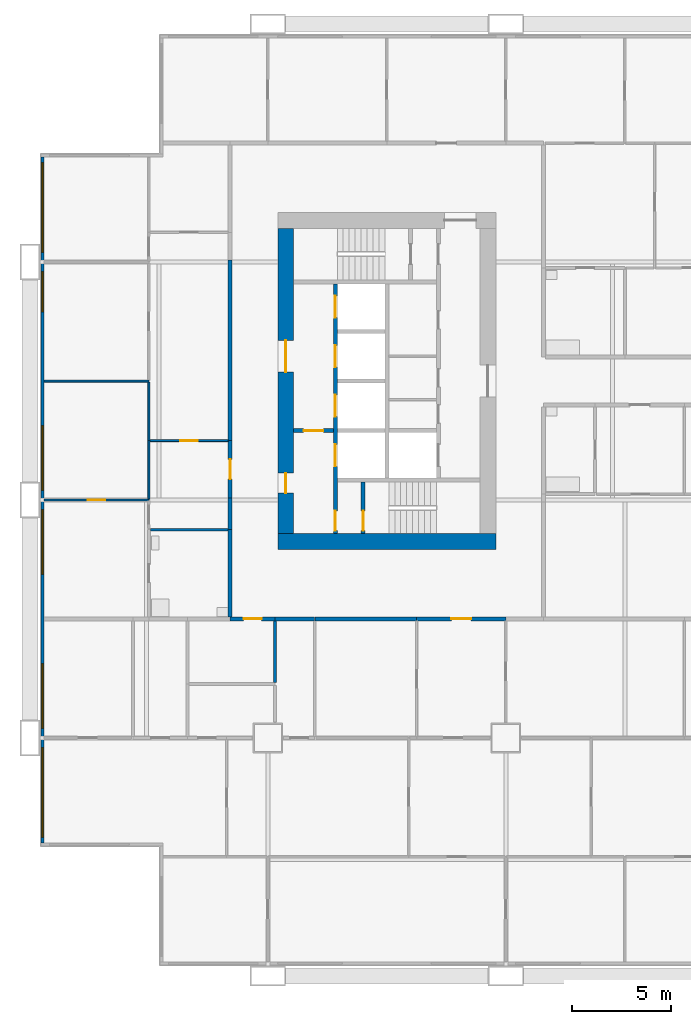
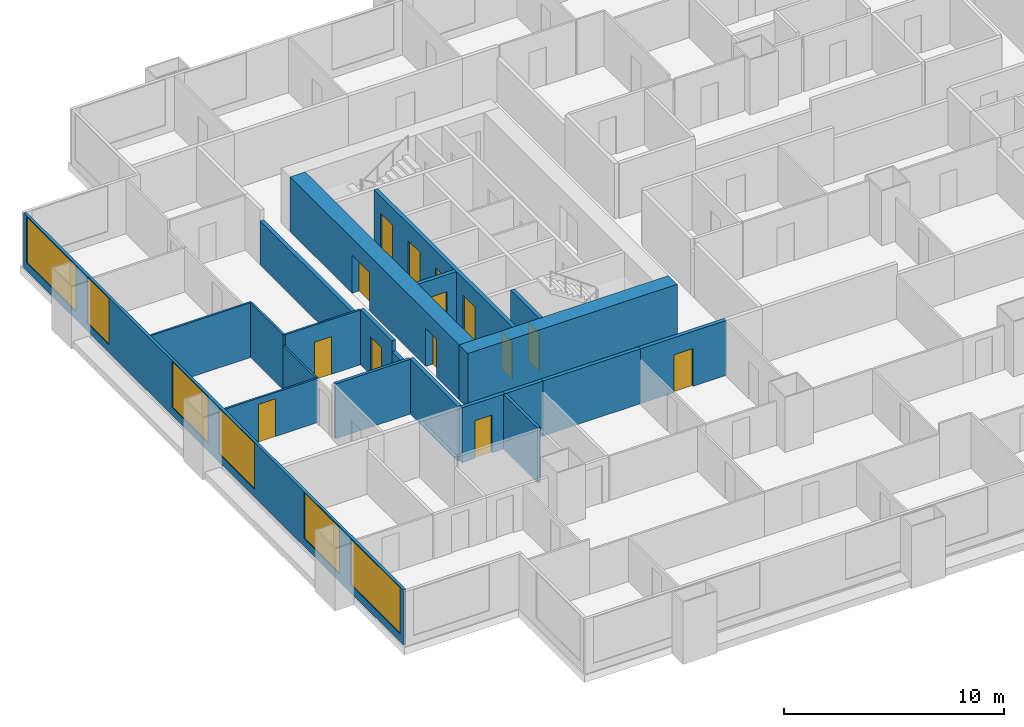
# One storey, part 3 of 13: 21 walls, 14 doors, 6 windows, 20 openings.
"""IFC4 building model written with IfcOpenShell, lengths in metres."""

import ifcopenshell
import ifcopenshell.guid

model = None  # the IFC model being written
_history = None  # IfcOwnerHistory: only IFC2X3 demands one
_inside = {}  # id of a spatial element -> (the spatial element, [elements in it])
_under = {}  # id of a project, library or spatial element -> (it, [spatial elements below it])
_declared = {}  # id of a project -> (the project, [libraries it declares])
_typed = {}  # id of a type object -> (the type object, [elements of that type])
_made_of = {}  # id of a material, layer set ... -> (it, [elements and type objects made of it])


def new_model(schema):
    """Start an empty IFC model of exactly this schema.

    Asked for "IFC4X3", IfcOpenShell would pick the latest addendum, in which some entities
    have other attributes; the version numbers below select the first issue.
    IFC2X3 requires an IfcOwnerHistory on every rooted entity: one is made here for all.
    """
    global model, _history
    if schema == "IFC4X3":
        model = ifcopenshell.file(schema_version=(4, 3, 0, 0))
    else:
        model = ifcopenshell.file(schema=schema)
    _inside.clear()
    _under.clear()
    _declared.clear()
    _typed.clear()
    _made_of.clear()
    _history = None
    if model.schema == "IFC2X3":
        org = make("IfcOrganization", Name="unknown")
        user = make(
            "IfcPersonAndOrganization",
            ThePerson=make("IfcPerson", FamilyName="unknown"),
            TheOrganization=org,
        )
        app = make(
            "IfcApplication",
            ApplicationDeveloper=org,
            Version="unknown",
            ApplicationFullName="unknown",
            ApplicationIdentifier="unknown",
        )
        _history = make(
            "IfcOwnerHistory",
            OwningUser=user,
            OwningApplication=app,
            ChangeAction="ADDED",
            CreationDate=0,
        )
    return model


def make(cls, **values):
    """One entity of the class cls with the attributes given. An attribute that is None is left unset."""
    return model.create_entity(
        cls, **{name: value for name, value in values.items() if value is not None}
    )


def rooted(cls, **values):
    """An entity with a GlobalId (a new one), such as an element, a storey or a relation."""
    return make(cls, GlobalId=ifcopenshell.guid.new(), OwnerHistory=_history, **values)


def si_unit(unit_type, name, prefix=None):
    """IfcSIUnit, for example si_unit("LENGTHUNIT", "METRE", prefix="MILLI")."""
    return make("IfcSIUnit", UnitType=unit_type, Prefix=prefix, Name=name)


def assignment(units):
    """IfcUnitAssignment: the units of a project."""
    return None if units is None else make("IfcUnitAssignment", Units=units)


def point(xyz):
    """IfcCartesianPoint."""
    return None if xyz is None else make("IfcCartesianPoint", Coordinates=xyz)


def direction(xyz):
    """IfcDirection."""
    return None if xyz is None else make("IfcDirection", DirectionRatios=xyz)


def frame(location, z_axis=None, x_axis=None):
    """IfcAxis2Placement3D, a coordinate frame: its origin and axes. An axis left out is left unset."""
    return make(
        "IfcAxis2Placement3D",
        Location=point(location),
        Axis=direction(z_axis),
        RefDirection=direction(x_axis),
    )


def frame_2d(location, x_axis=None):
    """IfcAxis2Placement2D, a coordinate frame in the plane: its origin and x axis."""
    return make(
        "IfcAxis2Placement2D", Location=point(location), RefDirection=direction(x_axis)
    )


def origin():
    """The frame at (0, 0, 0) with its axes left unset."""
    return frame((0.0, 0.0, 0.0))


def place(relative_to, where):
    """IfcLocalPlacement: puts the frame where relative to a parent placement (None: the world)."""
    return make(
        "IfcLocalPlacement", PlacementRelTo=relative_to, RelativePlacement=where
    )


def context(
    kind, dimensions, precision=None, world=None, true_north=None, identifier=None
):
    """IfcGeometricRepresentationContext, for example the 3D "Model" context."""
    return make(
        "IfcGeometricRepresentationContext",
        ContextIdentifier=identifier,
        ContextType=kind,
        CoordinateSpaceDimension=dimensions,
        Precision=precision,
        WorldCoordinateSystem=world,
        TrueNorth=true_north,
    )


def subcontext(parent, identifier, kind, view, scale=None):
    """IfcGeometricRepresentationSubContext, for example "Body" below "Model"."""
    return make(
        "IfcGeometricRepresentationSubContext",
        ContextIdentifier=identifier,
        ContextType=kind,
        ParentContext=parent,
        TargetScale=scale,
        TargetView=view,
    )


def project(units=None, contexts=None):
    """IfcProject with its units and contexts."""
    return rooted(
        "IfcProject",
        Name="project",
        RepresentationContexts=contexts,
        UnitsInContext=assignment(units),
    )


def spatial(cls, under=None, at=None, **own):
    """A site, building, storey or space (cls), placed at a placement, below another one or the project."""
    s = rooted(cls, ObjectPlacement=at, **own)
    if under is not None:
        _under.setdefault(under.id(), (under, []))[1].append(s)
    return s


def profile(cls, at=None, kind="AREA", **sizes):
    """A parametric profile (cls). Its sizes go by their IFC names, for example OverallWidth=200.0."""
    return make(cls, ProfileType=kind, Position=at, **sizes)


def rectangle(**sizes):
    """IfcRectangleProfileDef."""
    return profile("IfcRectangleProfileDef", **sizes)


def extrude(swept, where, along, depth):
    """IfcExtrudedAreaSolid: the profile swept, set in the frame where, extruded along a direction by depth."""
    return make(
        "IfcExtrudedAreaSolid",
        SweptArea=swept,
        Position=where,
        ExtrudedDirection=direction(along),
        Depth=depth,
    )


def shape(context_of_items, identifier, shape_type, items):
    """IfcShapeRepresentation: the items that make up one representation, for example the "Body"."""
    return make(
        "IfcShapeRepresentation",
        ContextOfItems=context_of_items,
        RepresentationIdentifier=identifier,
        RepresentationType=shape_type,
        Items=items,
    )


def material(Name=None, Category=None):
    """IfcMaterial."""
    return make("IfcMaterial", Name=Name, Category=Category)


def layer(
    of_material, thickness, ventilated=None, Name=None, Category=None, Priority=None
):
    """IfcMaterialLayer: one layer of a wall or slab, of a material (None: an air gap)."""
    return make(
        "IfcMaterialLayer",
        Material=of_material,
        LayerThickness=thickness,
        IsVentilated=ventilated,
        Name=Name,
        Category=Category,
        Priority=Priority,
    )


def layer_set(layers, Name=None):
    """IfcMaterialLayerSet."""
    return make("IfcMaterialLayerSet", MaterialLayers=layers, LayerSetName=Name)


def made_of(thing, what):
    """Note that an element or type object is made of a material, layer set ...; save() writes the relation."""
    if what is not None:
        _made_of.setdefault(what.id(), (what, []))[1].append(thing)
    return thing


def type_object(cls, material=None, **own):
    """A type object (cls), such as IfcWallType, which elements share."""
    return made_of(rooted(cls, **own), material)


def element(
    cls,
    number,
    at=None,
    inside=None,
    cuts=None,
    type_object=None,
    material=None,
    context=None,
    identifier="Body",
    shape_type=None,
    held_by="IfcProductDefinitionShape",
    body=None,
    shapes=None,
    **own,
):
    """One element of the class cls, such as IfcWall. Its Tag is "e" and its number.

    at: its placement. inside: the storey or other place that contains it. cuts: it is an
    opening in that element (IfcRelVoidsElement). A single representation is given by context,
    identifier, shape_type and body (its items); several are given by shapes. held_by: the class
    of the entity that holds the representations. save() writes the other relations.
    """
    e = rooted(cls, Tag="e%d" % number, ObjectPlacement=at, **own)
    if body is not None:
        shapes = [shape(context, identifier, shape_type, body)]
    if shapes is not None:
        e.Representation = make(held_by, Representations=shapes)
    if inside is not None:
        _inside.setdefault(inside.id(), (inside, []))[1].append(e)
    if cuts is not None:
        rooted(
            "IfcRelVoidsElement", RelatingBuildingElement=cuts, RelatedOpeningElement=e
        )
    if type_object is not None:
        _typed.setdefault(type_object.id(), (type_object, []))[1].append(e)
    return made_of(e, material)


def fill(opening, filler):
    """IfcRelFillsElement: the door or window that sits in an opening."""
    return rooted(
        "IfcRelFillsElement",
        RelatingOpeningElement=opening,
        RelatedBuildingElement=filler,
    )


def aggregate(whole, parts):
    """IfcRelAggregates: a whole, such as a stair, and the parts it consists of."""
    return rooted("IfcRelAggregates", RelatingObject=whole, RelatedObjects=parts)


def save(model, path):
    """Write the relations noted so far, then the file.

    IfcRelAggregates (storeys below a building ...), IfcRelContainedInSpatialStructure (elements
    in a storey), IfcRelDefinesByType, IfcRelAssociatesMaterial and IfcRelDeclares: one each for
    every whole, place, type object, material and project.
    """
    for whole, parts in _under.values():
        aggregate(whole, parts)
    for where, things in _inside.values():
        rooted(
            "IfcRelContainedInSpatialStructure",
            RelatedElements=things,
            RelatingStructure=where,
        )
    for kind, things in _typed.values():
        rooted("IfcRelDefinesByType", RelatedObjects=things, RelatingType=kind)
    for what, things in _made_of.values():
        rooted("IfcRelAssociatesMaterial", RelatedObjects=things, RelatingMaterial=what)
    for by, libraries in _declared.values():
        rooted("IfcRelDeclares", RelatingContext=by, RelatedDefinitions=libraries)
    model.write(path)


model = new_model("IFC4")

# Units and contexts
model_context = context("Model", 3, precision=1e-05, world=origin(), true_north=direction((0.0, 1.0)))
body_context = subcontext(model_context, "Body", "Model", "MODEL_VIEW")
ifc_project = project(units=[si_unit("LENGTHUNIT", "METRE"), si_unit("AREAUNIT", "SQUARE_METRE"), si_unit("VOLUMEUNIT", "CUBIC_METRE"), si_unit("PLANEANGLEUNIT", "RADIAN"), si_unit("MASSUNIT", "GRAM", prefix="KILO")], contexts=[model_context])

# Site, building, storey
site_placement = place(None, origin())
site = spatial("IfcSite", under=ifc_project, at=site_placement, CompositionType="ELEMENT")
building_placement = place(site_placement, origin())
building = spatial("IfcBuilding", under=site, at=building_placement, Name="Kitamizu Gate Tower and Museum", CompositionType="ELEMENT")
storey_placement = place(building_placement, frame((0.0, 0.0, 57.60009765625)))
storey = spatial("IfcBuildingStorey", under=building, at=storey_placement, Name="L13", CompositionType="ELEMENT", Elevation=57.60009765625)

# Wall
ifc_material_1 = material(Name="Concrete Fc60", Category="concrete")
ifc_layer_1 = layer(ifc_material_1, 0.800048828125)
ifc_layer_set_1 = layer_set([ifc_layer_1], Name="Concrete Fc60")
wall_type_1 = type_object("IfcWallType", Name="Core wall 800", PredefinedType="SHEAR", material=ifc_layer_set_1)
wall_1_placement = place(storey_placement, frame((12.5, 21.89990234375, 0.0), z_axis=(0.0, 0.0, 1.0), x_axis=(1.0, 0.0, 0.0)))
element("IfcWall", 1, at=wall_1_placement, inside=storey, type_object=wall_type_1, Name="Core wall WS", PredefinedType="SHEAR", context=body_context, shape_type="SweptSolid", body=[
    extrude(rectangle(XDim=11.0, YDim=0.800048828125, at=frame_2d((5.5, 0.0))), origin(), (0.0, 0.0, 1.0), 3.0498046875),
])

# Wall, openings, doors
wall_2_placement = place(storey_placement, frame((12.89990234375, 22.300048828125, 0.0), z_axis=(0.0, 0.0, 1.0), x_axis=(0.0, 1.0, 0.0)))
wall_2 = element("IfcWall", 2, at=wall_2_placement, inside=storey, type_object=wall_type_1, Name="Core wall WOUT", PredefinedType="SHEAR", context=body_context, shape_type="SweptSolid", body=[
    extrude(rectangle(XDim=15.39990234375, YDim=0.800048828125, at=frame_2d((7.699951171875, 0.0))), origin(), (0.0, 0.0, 1.0), 3.0498046875),
])
opening_1_placement = place(wall_2_placement, frame((8.14990234375, 0.0, 0.0)))
opening_1 = element("IfcOpeningElement", 3, at=opening_1_placement, cuts=wall_2, Name="Opening L13-081", PredefinedType="OPENING", context=body_context, shape_type="SweptSolid", body=[
    extrude(rectangle(XDim=1.60009765625, YDim=2.10009765625, at=frame_2d((0.800048828125, 1.050048828125))), frame((0.0, 0.41015625, 0.0), z_axis=(0.0, -1.0, 0.0), x_axis=(1.0, 0.0, 0.0)), (0.0, 0.0, 1.0), 0.820068359375),
])
opening_2_placement = place(wall_2_placement, frame((2.050048828125, 0.0, 0.0)))
opening_2 = element("IfcOpeningElement", 4, at=opening_2_placement, cuts=wall_2, Name="Opening L13-082", PredefinedType="OPENING", context=body_context, shape_type="SweptSolid", body=[
    extrude(rectangle(XDim=1.0, YDim=2.10009765625, at=frame_2d((0.5, 1.050048828125))), frame((0.0, 0.41015625, 0.0), z_axis=(0.0, -1.0, 0.0), x_axis=(1.0, 0.0, 0.0)), (0.0, 0.0, 1.0), 0.820068359375),
])
ifc_material_2 = material(Name="Timber door set", Category="wood")
door_type_1 = type_object("IfcDoorType", Name="Entrance door 1600", OperationType="DOUBLE_DOOR_SINGLE_SWING", PredefinedType="DOOR", material=ifc_material_2)
door_1_placement = place(opening_1_placement, origin())
door_1 = element("IfcDoor", 5, at=door_1_placement, inside=storey, type_object=door_type_1, Name="Lobby door L13-081", OperationType="DOUBLE_DOOR_SINGLE_SWING", OverallHeight=2.10009765625, OverallWidth=1.60009765625, PredefinedType="DOOR", context=body_context, shape_type="SweptSolid", body=[
    extrude(rectangle(XDim=1.60009765625, YDim=2.10009765625, at=frame_2d((0.800048828125, 1.050048828125))), frame((0.0, 0.02490234375, 0.0), z_axis=(0.0, -1.0, 0.0), x_axis=(1.0, 0.0, 0.0)), (0.0, 0.0, 1.0), 0.050048828125),
])
fill(opening_1, door_1)
ifc_material_3 = material(Name="Hollow metal door set")
door_type_2 = type_object("IfcDoorType", Name="Fire door 1000", OperationType="NOTDEFINED", PredefinedType="DOOR", material=ifc_material_3)
door_2_placement = place(opening_2_placement, frame((1.0, 0.0, 0.0), x_axis=(-1.0, 0.0, 0.0)))
door_2 = element("IfcDoor", 6, at=door_2_placement, inside=storey, type_object=door_type_2, Name="Fire-fighting lobby door L13-082", OperationType="SINGLE_SWING_RIGHT", OverallHeight=2.10009765625, OverallWidth=1.0, PredefinedType="DOOR", context=body_context, shape_type="SweptSolid", body=[
    extrude(rectangle(XDim=1.0, YDim=2.10009765625, at=frame_2d((0.5, 1.050048828125))), frame((0.0, 0.02490234375, 0.0), z_axis=(0.0, -1.0, 0.0), x_axis=(1.0, 0.0, 0.0)), (0.0, 0.0, 1.0), 0.050048828125),
])
fill(opening_2, door_2)

# Wall, opening, door
ifc_material_4 = material(Name="Gypsum board on galvanised stud")
ifc_layer_2 = layer(ifc_material_4, 0.10009765625)
ifc_layer_set_2 = layer_set([ifc_layer_2], Name="Gypsum board on galvanised stud")
wall_type_2 = type_object("IfcWallType", Name="Partition 100 NOT RATED", PredefinedType="PARTITIONING", material=ifc_layer_set_2)
wall_3_placement = place(storey_placement, frame((6.0, 24.0, 0.0), z_axis=(0.0, 0.0, 1.0), x_axis=(-1.0, 0.0, 0.0)))
wall_3 = element("IfcWall", 7, at=wall_3_placement, inside=storey, type_object=wall_type_2, Name="Partition L13-156", PredefinedType="PARTITIONING", context=body_context, shape_type="SweptSolid", body=[
    extrude(rectangle(XDim=5.280029296875, YDim=0.10009765625, at=frame_2d((2.64013671875, 0.0))), origin(), (0.0, 0.0, 1.0), 2.449951171875),
])
opening_3_placement = place(wall_3_placement, frame((2.18994140625, 0.0, 0.0)))
opening_3 = element("IfcOpeningElement", 8, at=opening_3_placement, cuts=wall_3, Name="Opening L13-061", PredefinedType="OPENING", context=body_context, shape_type="SweptSolid", body=[
    extrude(rectangle(XDim=0.89990234375, YDim=2.10009765625, at=frame_2d((0.449951171875, 1.050048828125))), frame((0.0, 0.06005859375, 0.0), z_axis=(0.0, -1.0, 0.0), x_axis=(1.0, 0.0, 0.0)), (0.0, 0.0, 1.0), 0.1201171875),
])
ifc_material_5 = material(Name="Timber door set", Category="wood")
door_type_3 = type_object("IfcDoorType", Name="Room door 900", OperationType="NOTDEFINED", PredefinedType="DOOR", material=ifc_material_5)
door_3_placement = place(opening_3_placement, origin())
door_3 = element("IfcDoor", 9, at=door_3_placement, inside=storey, type_object=door_type_3, Name="Door L13-061", OperationType="SINGLE_SWING_LEFT", OverallHeight=2.10009765625, OverallWidth=0.89990234375, PredefinedType="DOOR", context=body_context, shape_type="SweptSolid", body=[
    extrude(rectangle(XDim=0.89990234375, YDim=2.10009765625, at=frame_2d((0.449951171875, 1.050048828125))), frame((0.0, 0.02490234375, 0.0), z_axis=(0.0, -1.0, 0.0), x_axis=(1.0, 0.0, 0.0)), (0.0, 0.0, 1.0), 0.050048828125),
])
fill(opening_3, door_3)

# Walls
wall_4_placement = place(storey_placement, frame((6.0, 30.0, 0.0), z_axis=(0.0, 0.0, 1.0), x_axis=(-1.0, 0.0, 0.0)))
element("IfcWall", 10, at=wall_4_placement, inside=storey, type_object=wall_type_2, Name="Partition L13-159", PredefinedType="PARTITIONING", context=body_context, shape_type="SweptSolid", body=[
    extrude(rectangle(XDim=5.280029296875, YDim=0.10009765625, at=frame_2d((2.64013671875, 0.0))), origin(), (0.0, 0.0, 1.0), 3.0498046875),
])
wall_5_placement = place(storey_placement, frame((6.0, 24.050048828125, 0.0), z_axis=(0.0, 0.0, 1.0), x_axis=(0.0, 1.0, 0.0)))
element("IfcWall", 11, at=wall_5_placement, inside=storey, type_object=wall_type_2, Name="Partition L13-160", PredefinedType="PARTITIONING", context=body_context, shape_type="SweptSolid", body=[
    extrude(rectangle(XDim=2.949951171875, YDim=0.10009765625, at=frame_2d((1.47509765625, 0.0))), origin(), (0.0, 0.0, 1.0), 2.449951171875),
])
wall_6_placement = place(storey_placement, frame((6.0, 27.0, 0.0), z_axis=(0.0, 0.0, 1.0), x_axis=(0.0, 1.0, 0.0)))
element("IfcWall", 12, at=wall_6_placement, inside=storey, type_object=wall_type_2, Name="Partition L13-161", PredefinedType="PARTITIONING", context=body_context, shape_type="SweptSolid", body=[
    extrude(rectangle(XDim=2.949951171875, YDim=0.10009765625, at=frame_2d((1.47509765625, 0.0))), origin(), (0.0, 0.0, 1.0), 3.0498046875),
])

# Wall, opening, door
wall_7_placement = place(storey_placement, frame((10.0, 27.0, 0.0), z_axis=(0.0, 0.0, 1.0), x_axis=(-1.0, 0.0, 0.0)))
wall_7 = element("IfcWall", 13, at=wall_7_placement, inside=storey, type_object=wall_type_2, Name="Partition L13-168", PredefinedType="PARTITIONING", context=body_context, shape_type="SweptSolid", body=[
    extrude(rectangle(XDim=3.949951171875, YDim=0.10009765625, at=frame_2d((1.97509765625, 0.0))), origin(), (0.0, 0.0, 1.0), 3.0498046875),
])
opening_4_placement = place(wall_7_placement, frame((1.52490234375, 0.0, 0.0)))
opening_4 = element("IfcOpeningElement", 14, at=opening_4_placement, cuts=wall_7, Name="Opening L13-057", PredefinedType="OPENING", context=body_context, shape_type="SweptSolid", body=[
    extrude(rectangle(XDim=0.89990234375, YDim=2.10009765625, at=frame_2d((0.449951171875, 1.050048828125))), frame((0.0, 0.06005859375, 0.0), z_axis=(0.0, -1.0, 0.0), x_axis=(1.0, 0.0, 0.0)), (0.0, 0.0, 1.0), 0.1201171875),
])
door_4_placement = place(opening_4_placement, origin())
door_4 = element("IfcDoor", 15, at=door_4_placement, inside=storey, type_object=door_type_3, Name="Door L13-057", OperationType="SINGLE_SWING_RIGHT", OverallHeight=2.10009765625, OverallWidth=0.89990234375, PredefinedType="DOOR", context=body_context, shape_type="SweptSolid", body=[
    extrude(rectangle(XDim=0.89990234375, YDim=2.10009765625, at=frame_2d((0.449951171875, 1.050048828125))), frame((0.0, 0.02490234375, 0.0), z_axis=(0.0, -1.0, 0.0), x_axis=(1.0, 0.0, 0.0)), (0.0, 0.0, 1.0), 0.050048828125),
])
fill(opening_4, door_4)

# Walls
ifc_material_6 = material(Name="Gypsum board on galvanised stud")
ifc_layer_3 = layer(ifc_material_6, 0.14990234375)
ifc_layer_set_3 = layer_set([ifc_layer_3], Name="Gypsum board on galvanised stud")
wall_type_3 = type_object("IfcWallType", Name="Partition 150", PredefinedType="PARTITIONING", material=ifc_layer_set_3)
wall_8_placement = place(storey_placement, frame((12.364013671875, 14.787109375, 0.0), z_axis=(0.0, 0.0, 1.0), x_axis=(0.0, 1.0, 0.0)))
element("IfcWall", 16, at=wall_8_placement, inside=storey, type_object=wall_type_3, Name="Partition L13-044", PredefinedType="PARTITIONING", context=body_context, shape_type="SweptSolid", body=[
    extrude(rectangle(XDim=3.11279296875, YDim=0.14990234375, at=frame_2d((1.556396484375, 0.0))), origin(), (0.0, 0.0, 1.0), 3.0498046875),
])
wall_9_placement = place(storey_placement, frame((10.0, 22.5, 0.0), z_axis=(0.0, 0.0, 1.0), x_axis=(-1.0, 0.0, 0.0)))
element("IfcWall", 17, at=wall_9_placement, inside=storey, type_object=wall_type_3, Name="Partition L13-166", PredefinedType="PARTITIONING", context=body_context, shape_type="SweptSolid", body=[
    extrude(rectangle(XDim=3.925048828125, YDim=0.14990234375, at=frame_2d((1.96240234375, 0.0))), origin(), (0.0, 0.0, 1.0), 3.0498046875),
])

# Wall, opening, door
ifc_material_7 = material(Name="Gypsum board on galvanised stud")
ifc_layer_4 = layer(ifc_material_7, 0.199951171875)
ifc_layer_set_4 = layer_set([ifc_layer_4], Name="Gypsum board on galvanised stud")
wall_type_4 = type_object("IfcWallType", Name="Partition 200", PredefinedType="PARTITIONING", material=ifc_layer_set_4)
wall_10_placement = place(storey_placement, frame((12.364013671875, 18.0, 0.0), z_axis=(0.0, 0.0, 1.0), x_axis=(-1.0, 0.0, 0.0)))
wall_10 = element("IfcWall", 18, at=wall_10_placement, inside=storey, type_object=wall_type_4, Name="Partition L13-046", PredefinedType="PARTITIONING", context=body_context, shape_type="SweptSolid", body=[
    extrude(rectangle(XDim=2.263916015625, YDim=0.199951171875, at=frame_2d((1.1318359375, 0.0))), origin(), (0.0, 0.0, 1.0), 3.0498046875),
])
opening_5_placement = place(wall_10_placement, frame((0.681884765625, 0.0, 0.0)))
opening_5 = element("IfcOpeningElement", 19, at=opening_5_placement, cuts=wall_10, Name="Opening L13-020", PredefinedType="OPENING", context=body_context, shape_type="SweptSolid", body=[
    extrude(rectangle(XDim=0.89990234375, YDim=2.10009765625, at=frame_2d((0.449951171875, 1.050048828125))), frame((0.0, 0.10986328125, 0.0), z_axis=(0.0, -1.0, 0.0), x_axis=(1.0, 0.0, 0.0)), (0.0, 0.0, 1.0), 0.219970703125),
])
ifc_material_8 = material(Name="Timber door set", Category="wood")
door_type_4 = type_object("IfcDoorType", Name="Store door 900", OperationType="NOTDEFINED", PredefinedType="DOOR", material=ifc_material_8)
door_5_placement = place(opening_5_placement, origin())
door_5 = element("IfcDoor", 20, at=door_5_placement, inside=storey, type_object=door_type_4, Name="Service entrance door L13-020", OperationType="SINGLE_SWING_RIGHT", OverallHeight=2.10009765625, OverallWidth=0.89990234375, PredefinedType="DOOR", context=body_context, shape_type="SweptSolid", body=[
    extrude(rectangle(XDim=0.89990234375, YDim=2.10009765625, at=frame_2d((0.449951171875, 1.050048828125))), frame((0.0, 0.02490234375, 0.0), z_axis=(0.0, -1.0, 0.0), x_axis=(1.0, 0.0, 0.0)), (0.0, 0.0, 1.0), 0.050048828125),
])
fill(opening_5, door_5)

# Walls
wall_11_placement = place(storey_placement, frame((14.364013671875, 18.0, 0.0), z_axis=(0.0, 0.0, 1.0), x_axis=(-1.0, 0.0, 0.0)))
element("IfcWall", 21, at=wall_11_placement, inside=storey, type_object=wall_type_4, Name="Partition L13-048", PredefinedType="PARTITIONING", context=body_context, shape_type="SweptSolid", body=[
    extrude(rectangle(XDim=2.0, YDim=0.199951171875, at=frame_2d((1.0, 0.0))), origin(), (0.0, 0.0, 1.0), 3.0498046875),
])
wall_12_placement = place(storey_placement, frame((19.5, 18.0, 0.0), z_axis=(0.0, 0.0, 1.0), x_axis=(-1.0, 0.0, 0.0)))
element("IfcWall", 22, at=wall_12_placement, inside=storey, type_object=wall_type_4, Name="Partition L13-050", PredefinedType="PARTITIONING", context=body_context, shape_type="SweptSolid", body=[
    extrude(rectangle(XDim=5.135986328125, YDim=0.199951171875, at=frame_2d((2.56787109375, 0.0))), origin(), (0.0, 0.0, 1.0), 3.0498046875),
])

# Wall, opening, door
wall_13_placement = place(storey_placement, frame((24.0, 18.0, 0.0), z_axis=(0.0, 0.0, 1.0), x_axis=(-1.0, 0.0, 0.0)))
wall_13 = element("IfcWall", 23, at=wall_13_placement, inside=storey, type_object=wall_type_4, Name="Partition L13-052", PredefinedType="PARTITIONING", context=body_context, shape_type="SweptSolid", body=[
    extrude(rectangle(XDim=4.5, YDim=0.199951171875, at=frame_2d((2.25, 0.0))), origin(), (0.0, 0.0, 1.0), 3.0498046875),
])
opening_6_placement = place(wall_13_placement, frame((1.75, 0.0, 0.0)))
opening_6 = element("IfcOpeningElement", 24, at=opening_6_placement, cuts=wall_13, Name="Opening L13-001", PredefinedType="OPENING", context=body_context, shape_type="SweptSolid", body=[
    extrude(rectangle(XDim=1.0, YDim=2.10009765625, at=frame_2d((0.5, 1.050048828125))), frame((0.0, 0.10986328125, 0.0), z_axis=(0.0, -1.0, 0.0), x_axis=(1.0, 0.0, 0.0)), (0.0, 0.0, 1.0), 0.219970703125),
])
ifc_material_9 = material(Name="Timber door set", Category="wood")
door_type_5 = type_object("IfcDoorType", Name="Flat entrance door 1000", OperationType="NOTDEFINED", PredefinedType="DOOR", material=ifc_material_9)
door_6_placement = place(opening_6_placement, origin())
door_6 = element("IfcDoor", 25, at=door_6_placement, inside=storey, type_object=door_type_5, Name="Flat entrance door L13-001", OperationType="SINGLE_SWING_RIGHT", OverallHeight=2.10009765625, OverallWidth=1.0, PredefinedType="DOOR", context=body_context, shape_type="SweptSolid", body=[
    extrude(rectangle(XDim=1.0, YDim=2.10009765625, at=frame_2d((0.5, 1.050048828125))), frame((0.0, 0.02490234375, 0.0), z_axis=(0.0, -1.0, 0.0), x_axis=(1.0, 0.0, 0.0)), (0.0, 0.0, 1.0), 0.050048828125),
])
fill(opening_6, door_6)

# Walls
wall_14_placement = place(storey_placement, frame((10.10009765625, 18.10009765625, 0.0), z_axis=(0.0, 0.0, 1.0), x_axis=(0.0, 1.0, 0.0)))
element("IfcWall", 26, at=wall_14_placement, inside=storey, type_object=wall_type_4, Name="Partition L13-167", PredefinedType="PARTITIONING", context=body_context, shape_type="SweptSolid", body=[
    extrude(rectangle(XDim=4.39990234375, YDim=0.199951171875, at=frame_2d((2.199951171875, 0.0))), origin(), (0.0, 0.0, 1.0), 3.0498046875),
])
wall_15_placement = place(storey_placement, frame((10.10009765625, 22.5, 0.0), z_axis=(0.0, 0.0, 1.0), x_axis=(0.0, 1.0, 0.0)))
element("IfcWall", 27, at=wall_15_placement, inside=storey, type_object=wall_type_4, Name="Partition L13-169", PredefinedType="PARTITIONING", context=body_context, shape_type="SweptSolid", body=[
    extrude(rectangle(XDim=1.60009765625, YDim=0.199951171875, at=frame_2d((0.800048828125, 0.0))), origin(), (0.0, 0.0, 1.0), 2.449951171875),
])

# Wall, opening, door
wall_16_placement = place(storey_placement, frame((10.10009765625, 24.10009765625, 0.0), z_axis=(0.0, 0.0, 1.0), x_axis=(0.0, 1.0, 0.0)))
wall_16 = element("IfcWall", 28, at=wall_16_placement, inside=storey, type_object=wall_type_4, Name="Partition L13-170", PredefinedType="PARTITIONING", context=body_context, shape_type="SweptSolid", body=[
    extrude(rectangle(XDim=2.89990234375, YDim=0.199951171875, at=frame_2d((1.449951171875, 0.0))), origin(), (0.0, 0.0, 1.0), 3.0498046875),
])
opening_7_placement = place(wall_16_placement, frame((0.949951171875, 0.0, 0.0)))
opening_7 = element("IfcOpeningElement", 29, at=opening_7_placement, cuts=wall_16, Name="Opening L13-055", PredefinedType="OPENING", context=body_context, shape_type="SweptSolid", body=[
    extrude(rectangle(XDim=1.0, YDim=2.10009765625, at=frame_2d((0.5, 1.050048828125))), frame((0.0, 0.10986328125, 0.0), z_axis=(0.0, -1.0, 0.0), x_axis=(1.0, 0.0, 0.0)), (0.0, 0.0, 1.0), 0.219970703125),
])
door_7_placement = place(opening_7_placement, origin())
door_7 = element("IfcDoor", 30, at=door_7_placement, inside=storey, type_object=door_type_5, Name="Flat entrance door L13-055", OperationType="SINGLE_SWING_LEFT", OverallHeight=2.10009765625, OverallWidth=1.0, PredefinedType="DOOR", context=body_context, shape_type="SweptSolid", body=[
    extrude(rectangle(XDim=1.0, YDim=2.10009765625, at=frame_2d((0.5, 1.050048828125))), frame((0.0, 0.02490234375, 0.0), z_axis=(0.0, -1.0, 0.0), x_axis=(1.0, 0.0, 0.0)), (0.0, 0.0, 1.0), 0.050048828125),
])
fill(opening_7, door_7)

# Wall
wall_17_placement = place(storey_placement, frame((10.10009765625, 27.0, 0.0), z_axis=(0.0, 0.0, 1.0), x_axis=(0.0, 1.0, 0.0)))
element("IfcWall", 31, at=wall_17_placement, inside=storey, type_object=wall_type_4, Name="Partition L13-172", PredefinedType="PARTITIONING", context=body_context, shape_type="SweptSolid", body=[
    extrude(rectangle(XDim=9.10009765625, YDim=0.199951171875, at=frame_2d((4.550048828125, 0.0))), origin(), (0.0, 0.0, 1.0), 2.449951171875),
])

# Wall, openings, doors
ifc_material_10 = material(Name="Concrete Fc42", Category="concrete")
ifc_layer_5 = layer(ifc_material_10, 0.199951171875)
ifc_layer_set_5 = layer_set([ifc_layer_5], Name="Concrete Fc42")
wall_type_5 = type_object("IfcWallType", Name="Shaft wall 200", PredefinedType="SOLIDWALL", material=ifc_layer_set_5)
wall_18_placement = place(storey_placement, frame((15.39990234375, 22.300048828125, 0.0), z_axis=(0.0, 0.0, 1.0), x_axis=(0.0, 1.0, 0.0)))
wall_18 = element("IfcWall", 32, at=wall_18_placement, inside=storey, type_object=wall_type_5, Name="Shaft wall WWEST", PredefinedType="SOLIDWALL", context=body_context, shape_type="SweptSolid", body=[
    extrude(rectangle(XDim=12.599853515625, YDim=0.199951171875, at=frame_2d((6.2998046875, 0.0))), origin(), (0.0, 0.0, 1.0), 3.0498046875),
])
opening_8_placement = place(wall_18_placement, frame((3.39990234375, 0.0, 0.0)))
opening_8 = element("IfcOpeningElement", 33, at=opening_8_placement, cuts=wall_18, Name="Opening LD", PredefinedType="OPENING", context=body_context, shape_type="SweptSolid", body=[
    extrude(rectangle(XDim=1.10009765625, YDim=2.10009765625, at=frame_2d((0.550048828125, 1.050048828125))), frame((0.0, 0.10986328125, 0.0), z_axis=(0.0, -1.0, 0.0), x_axis=(1.0, 0.0, 0.0)), (0.0, 0.0, 1.0), 0.219970703125),
])
opening_9_placement = place(wall_18_placement, frame((5.89990234375, 0.0, 0.0)))
opening_9 = element("IfcOpeningElement", 34, at=opening_9_placement, cuts=wall_18, Name="Opening LD", PredefinedType="OPENING", context=body_context, shape_type="SweptSolid", body=[
    extrude(rectangle(XDim=1.10009765625, YDim=2.10009765625, at=frame_2d((0.550048828125, 1.050048828125))), frame((0.0, 0.10986328125, 0.0), z_axis=(0.0, -1.0, 0.0), x_axis=(1.0, 0.0, 0.0)), (0.0, 0.0, 1.0), 0.219970703125),
])
opening_10_placement = place(wall_18_placement, frame((8.39990234375, 0.0, 0.0)))
opening_10 = element("IfcOpeningElement", 35, at=opening_10_placement, cuts=wall_18, Name="Opening LD", PredefinedType="OPENING", context=body_context, shape_type="SweptSolid", body=[
    extrude(rectangle(XDim=1.10009765625, YDim=2.10009765625, at=frame_2d((0.550048828125, 1.050048828125))), frame((0.0, 0.10986328125, 0.0), z_axis=(0.0, -1.0, 0.0), x_axis=(1.0, 0.0, 0.0)), (0.0, 0.0, 1.0), 0.219970703125),
])
opening_11_placement = place(wall_18_placement, frame((10.89990234375, 0.0, 0.0)))
opening_11 = element("IfcOpeningElement", 36, at=opening_11_placement, cuts=wall_18, Name="Opening LD", PredefinedType="OPENING", context=body_context, shape_type="SweptSolid", body=[
    extrude(rectangle(XDim=1.10009765625, YDim=2.10009765625, at=frame_2d((0.550048828125, 1.050048828125))), frame((0.0, 0.10986328125, 0.0), z_axis=(0.0, -1.0, 0.0), x_axis=(1.0, 0.0, 0.0)), (0.0, 0.0, 1.0), 0.219970703125),
])
opening_12_placement = place(wall_18_placement, frame((0.14990234375, 0.0, 0.0)))
opening_12 = element("IfcOpeningElement", 37, at=opening_12_placement, cuts=wall_18, Name="Opening L13-077", PredefinedType="OPENING", context=body_context, shape_type="SweptSolid", body=[
    extrude(rectangle(XDim=1.0, YDim=2.10009765625, at=frame_2d((0.5, 1.050048828125))), frame((0.0, 0.10986328125, 0.0), z_axis=(0.0, -1.0, 0.0), x_axis=(1.0, 0.0, 0.0)), (0.0, 0.0, 1.0), 0.219970703125),
])
door_8_placement = place(opening_12_placement, frame((1.0, 0.0, 0.0), x_axis=(-1.0, 0.0, 0.0)))
door_8 = element("IfcDoor", 38, at=door_8_placement, inside=storey, type_object=door_type_2, Name="Stair lobby door L13-077", OperationType="SINGLE_SWING_LEFT", OverallHeight=2.10009765625, OverallWidth=1.0, PredefinedType="DOOR", context=body_context, shape_type="SweptSolid", body=[
    extrude(rectangle(XDim=1.0, YDim=2.10009765625, at=frame_2d((0.5, 1.050048828125))), frame((0.0, 0.02490234375, 0.0), z_axis=(0.0, -1.0, 0.0), x_axis=(1.0, 0.0, 0.0)), (0.0, 0.0, 1.0), 0.050048828125),
])
fill(opening_12, door_8)
ifc_material_11 = material(Name="Hollow metal door set")
door_type_6 = type_object("IfcDoorType", Name="Landing door 1100", OperationType="SLIDING_TO_LEFT", PredefinedType="DOOR", material=ifc_material_11)
door_9_placement = place(opening_8_placement, origin())
door_9 = element("IfcDoor", 39, at=door_9_placement, inside=storey, type_object=door_type_6, Name="Landing door WFF1", OperationType="SLIDING_TO_LEFT", OverallHeight=2.10009765625, OverallWidth=1.10009765625, PredefinedType="DOOR", context=body_context, shape_type="SweptSolid", body=[
    extrude(rectangle(XDim=1.10009765625, YDim=2.10009765625, at=frame_2d((0.550048828125, 1.050048828125))), frame((0.0, 0.02490234375, 0.0), z_axis=(0.0, -1.0, 0.0), x_axis=(1.0, 0.0, 0.0)), (0.0, 0.0, 1.0), 0.050048828125),
])
fill(opening_8, door_9)
door_10_placement = place(opening_9_placement, origin())
door_10 = element("IfcDoor", 40, at=door_10_placement, inside=storey, type_object=door_type_6, Name="Landing door WL1", OperationType="SLIDING_TO_LEFT", OverallHeight=2.10009765625, OverallWidth=1.10009765625, PredefinedType="DOOR", context=body_context, shape_type="SweptSolid", body=[
    extrude(rectangle(XDim=1.10009765625, YDim=2.10009765625, at=frame_2d((0.550048828125, 1.050048828125))), frame((0.0, 0.02490234375, 0.0), z_axis=(0.0, -1.0, 0.0), x_axis=(1.0, 0.0, 0.0)), (0.0, 0.0, 1.0), 0.050048828125),
])
fill(opening_9, door_10)
door_11_placement = place(opening_10_placement, origin())
door_11 = element("IfcDoor", 41, at=door_11_placement, inside=storey, type_object=door_type_6, Name="Landing door WL2", OperationType="SLIDING_TO_LEFT", OverallHeight=2.10009765625, OverallWidth=1.10009765625, PredefinedType="DOOR", context=body_context, shape_type="SweptSolid", body=[
    extrude(rectangle(XDim=1.10009765625, YDim=2.10009765625, at=frame_2d((0.550048828125, 1.050048828125))), frame((0.0, 0.02490234375, 0.0), z_axis=(0.0, -1.0, 0.0), x_axis=(1.0, 0.0, 0.0)), (0.0, 0.0, 1.0), 0.050048828125),
])
fill(opening_10, door_11)
door_12_placement = place(opening_11_placement, origin())
door_12 = element("IfcDoor", 42, at=door_12_placement, inside=storey, type_object=door_type_6, Name="Landing door WL3", OperationType="SLIDING_TO_LEFT", OverallHeight=2.10009765625, OverallWidth=1.10009765625, PredefinedType="DOOR", context=body_context, shape_type="SweptSolid", body=[
    extrude(rectangle(XDim=1.10009765625, YDim=2.10009765625, at=frame_2d((0.550048828125, 1.050048828125))), frame((0.0, 0.02490234375, 0.0), z_axis=(0.0, -1.0, 0.0), x_axis=(1.0, 0.0, 0.0)), (0.0, 0.0, 1.0), 0.050048828125),
])
fill(opening_11, door_12)

# Wall, opening, door
wall_19_placement = place(storey_placement, frame((13.300048828125, 27.5, 0.0), z_axis=(0.0, 0.0, 1.0), x_axis=(1.0, 0.0, 0.0)))
wall_19 = element("IfcWall", 43, at=wall_19_placement, inside=storey, type_object=wall_type_5, Name="Shaft wall WFFN", PredefinedType="SOLIDWALL", context=body_context, shape_type="SweptSolid", body=[
    extrude(rectangle(XDim=2.0, YDim=0.199951171875, at=frame_2d((1.0, 0.0))), origin(), (0.0, 0.0, 1.0), 3.0498046875),
])
opening_13_placement = place(wall_19_placement, frame((0.5, 0.0, 0.0)))
opening_13 = element("IfcOpeningElement", 44, at=opening_13_placement, cuts=wall_19, Name="Opening L13-080", PredefinedType="OPENING", context=body_context, shape_type="SweptSolid", body=[
    extrude(rectangle(XDim=1.0, YDim=2.10009765625, at=frame_2d((0.5, 1.050048828125))), frame((0.0, 0.10986328125, 0.0), z_axis=(0.0, -1.0, 0.0), x_axis=(1.0, 0.0, 0.0)), (0.0, 0.0, 1.0), 0.219970703125),
])
door_13_placement = place(opening_13_placement, frame((1.0, 0.0, 0.0), x_axis=(-1.0, 0.0, 0.0)))
door_13 = element("IfcDoor", 45, at=door_13_placement, inside=storey, type_object=door_type_2, Name="Fire-fighting lobby door L13-080", OperationType="SINGLE_SWING_LEFT", OverallHeight=2.10009765625, OverallWidth=1.0, PredefinedType="DOOR", context=body_context, shape_type="SweptSolid", body=[
    extrude(rectangle(XDim=1.0, YDim=2.10009765625, at=frame_2d((0.5, 1.050048828125))), frame((0.0, 0.02490234375, 0.0), z_axis=(0.0, -1.0, 0.0), x_axis=(1.0, 0.0, 0.0)), (0.0, 0.0, 1.0), 0.050048828125),
])
fill(opening_13, door_13)

wall_20_placement = place(storey_placement, frame((16.800048828125, 22.300048828125, 0.0), z_axis=(0.0, 0.0, 1.0), x_axis=(0.0, 1.0, 0.0)))
wall_20 = element("IfcWall", 46, at=wall_20_placement, inside=storey, type_object=wall_type_5, Name="Shaft wall WSZ", PredefinedType="SOLIDWALL", context=body_context, shape_type="SweptSolid", body=[
    extrude(rectangle(XDim=2.599853515625, YDim=0.199951171875, at=frame_2d((1.2998046875, 0.0))), origin(), (0.0, 0.0, 1.0), 3.0498046875),
])
opening_14_placement = place(wall_20_placement, frame((0.14990234375, 0.0, 0.0)))
opening_14 = element("IfcOpeningElement", 47, at=opening_14_placement, cuts=wall_20, Name="Opening L13-076", PredefinedType="OPENING", context=body_context, shape_type="SweptSolid", body=[
    extrude(rectangle(XDim=1.0, YDim=2.10009765625, at=frame_2d((0.5, 1.050048828125))), frame((0.0, 0.10986328125, 0.0), z_axis=(0.0, -1.0, 0.0), x_axis=(1.0, 0.0, 0.0)), (0.0, 0.0, 1.0), 0.219970703125),
])
door_14_placement = place(opening_14_placement, frame((1.0, 0.0, 0.0), x_axis=(-1.0, 0.0, 0.0)))
door_14 = element("IfcDoor", 48, at=door_14_placement, inside=storey, type_object=door_type_2, Name="Stair door L13-076", OperationType="SINGLE_SWING_LEFT", OverallHeight=2.10009765625, OverallWidth=1.0, PredefinedType="DOOR", context=body_context, shape_type="SweptSolid", body=[
    extrude(rectangle(XDim=1.0, YDim=2.10009765625, at=frame_2d((0.5, 1.050048828125))), frame((0.0, 0.02490234375, 0.0), z_axis=(0.0, -1.0, 0.0), x_axis=(1.0, 0.0, 0.0)), (0.0, 0.0, 1.0), 0.050048828125),
])
fill(opening_14, door_14)

# Wall, openings, windows
ifc_material_12 = material(Name="Bronze anodised aluminium frame with insulated spandrel and tinted glass", Category="aluminium")
ifc_layer_6 = layer(ifc_material_12, 0.14990234375)
ifc_layer_set_6 = layer_set([ifc_layer_6], Name="Bronze anodised aluminium frame with insulated spandrel and tinted glass")
wall_type_6 = type_object("IfcWallType", Name="WINDOW WALL 150 BRONZE FRAME EI 30", PredefinedType="ELEMENTEDWALL", material=ifc_layer_set_6)
wall_21_placement = place(storey_placement, frame((0.635009765625, 6.7099609375, 0.0), z_axis=(0.0, 0.0, 1.0), x_axis=(0.0, 1.0, 0.0)))
wall_21 = element("IfcWall", 49, at=wall_21_placement, inside=storey, type_object=wall_type_6, Name="Window wall west L13", PredefinedType="ELEMENTEDWALL", context=body_context, shape_type="SweptSolid", body=[
    extrude(rectangle(XDim=34.580078125, YDim=0.14990234375, at=frame_2d((17.2900390625, 0.0))), origin(), (0.0, 0.0, 1.0), 3.0498046875),
])
opening_15_placement = place(wall_21_placement, frame((0.2900390625, 0.0, 0.449951171875)))
opening_15 = element("IfcOpeningElement", 50, at=opening_15_placement, cuts=wall_21, Name="Opening W15", PredefinedType="OPENING", context=body_context, shape_type="SweptSolid", body=[
    extrude(rectangle(XDim=4.5, YDim=2.550048828125, at=frame_2d((2.25, 1.27490234375))), frame((0.0, 0.0849609375, 0.0), z_axis=(0.0, -1.0, 0.0), x_axis=(1.0, 0.0, 0.0)), (0.0, 0.0, 1.0), 0.169921875),
])
opening_16_placement = place(wall_21_placement, frame((5.7900390625, 0.0, 0.449951171875)))
opening_16 = element("IfcOpeningElement", 51, at=opening_16_placement, cuts=wall_21, Name="Opening W34", PredefinedType="OPENING", context=body_context, shape_type="SweptSolid", body=[
    extrude(rectangle(XDim=3.25, YDim=2.550048828125, at=frame_2d((1.625, 1.27490234375))), frame((0.0, 0.0849609375, 0.0), z_axis=(0.0, -1.0, 0.0), x_axis=(1.0, 0.0, 0.0)), (0.0, 0.0, 1.0), 0.169921875),
])
opening_17_placement = place(wall_21_placement, frame((13.5400390625, 0.0, 0.449951171875)))
opening_17 = element("IfcOpeningElement", 52, at=opening_17_placement, cuts=wall_21, Name="Opening W34", PredefinedType="OPENING", context=body_context, shape_type="SweptSolid", body=[
    extrude(rectangle(XDim=3.25, YDim=2.550048828125, at=frame_2d((1.625, 1.27490234375))), frame((0.0, 0.0849609375, 0.0), z_axis=(0.0, -1.0, 0.0), x_axis=(1.0, 0.0, 0.0)), (0.0, 0.0, 1.0), 0.169921875),
])
opening_18_placement = place(wall_21_placement, frame((17.7900390625, 0.0, 0.449951171875)))
opening_18 = element("IfcOpeningElement", 53, at=opening_18_placement, cuts=wall_21, Name="Opening W34", PredefinedType="OPENING", context=body_context, shape_type="SweptSolid", body=[
    extrude(rectangle(XDim=3.25, YDim=2.550048828125, at=frame_2d((1.625, 1.27490234375))), frame((0.0, 0.0849609375, 0.0), z_axis=(0.0, -1.0, 0.0), x_axis=(1.0, 0.0, 0.0)), (0.0, 0.0, 1.0), 0.169921875),
])
opening_19_placement = place(wall_21_placement, frame((26.7900390625, 0.0, 0.449951171875)))
opening_19 = element("IfcOpeningElement", 54, at=opening_19_placement, cuts=wall_21, Name="Opening W2", PredefinedType="OPENING", context=body_context, shape_type="SweptSolid", body=[
    extrude(rectangle(XDim=2.0, YDim=2.550048828125, at=frame_2d((1.0, 1.27490234375))), frame((0.0, 0.0849609375, 0.0), z_axis=(0.0, -1.0, 0.0), x_axis=(1.0, 0.0, 0.0)), (0.0, 0.0, 1.0), 0.169921875),
])
opening_20_placement = place(wall_21_placement, frame((29.7900390625, 0.0, 0.449951171875)))
opening_20 = element("IfcOpeningElement", 55, at=opening_20_placement, cuts=wall_21, Name="Opening W15", PredefinedType="OPENING", context=body_context, shape_type="SweptSolid", body=[
    extrude(rectangle(XDim=4.5, YDim=2.550048828125, at=frame_2d((2.25, 1.27490234375))), frame((0.0, 0.0849609375, 0.0), z_axis=(0.0, -1.0, 0.0), x_axis=(1.0, 0.0, 0.0)), (0.0, 0.0, 1.0), 0.169921875),
])
ifc_material_13 = material(Name="Bronze anodised aluminium frame, tinted triple glazing", Category="aluminium")
window_type_1 = type_object("IfcWindowType", Name="WINDOW 2000 x 2550 SILL 450", PartitioningType="SINGLE_PANEL", PredefinedType="WINDOW", material=ifc_material_13)
window_1_placement = place(opening_19_placement, origin())
window_1 = element("IfcWindow", 56, at=window_1_placement, inside=storey, type_object=window_type_1, Name="Window W2 L13", OverallHeight=2.550048828125, OverallWidth=2.0, PartitioningType="SINGLE_PANEL", PredefinedType="WINDOW", context=body_context, shape_type="SweptSolid", body=[
    extrude(rectangle(XDim=2.0, YDim=2.550048828125, at=frame_2d((1.0, 1.27490234375))), frame((0.0, 0.030029296875, 0.0), z_axis=(0.0, -1.0, 0.0), x_axis=(1.0, 0.0, 0.0)), (0.0, 0.0, 1.0), 0.06005859375),
])
fill(opening_19, window_1)
ifc_material_14 = material(Name="Bronze anodised aluminium frame, tinted triple glazing", Category="aluminium")
window_type_2 = type_object("IfcWindowType", Name="WINDOW 3250 x 2550 SILL 450", PartitioningType="SINGLE_PANEL", PredefinedType="WINDOW", material=ifc_material_14)
window_2_placement = place(opening_16_placement, origin())
window_2 = element("IfcWindow", 57, at=window_2_placement, inside=storey, type_object=window_type_2, Name="Window W34 L13", OverallHeight=2.550048828125, OverallWidth=3.25, PartitioningType="SINGLE_PANEL", PredefinedType="WINDOW", context=body_context, shape_type="SweptSolid", body=[
    extrude(rectangle(XDim=3.25, YDim=2.550048828125, at=frame_2d((1.625, 1.27490234375))), frame((0.0, 0.030029296875, 0.0), z_axis=(0.0, -1.0, 0.0), x_axis=(1.0, 0.0, 0.0)), (0.0, 0.0, 1.0), 0.06005859375),
])
fill(opening_16, window_2)
window_3_placement = place(opening_17_placement, origin())
window_3 = element("IfcWindow", 58, at=window_3_placement, inside=storey, type_object=window_type_2, Name="Window W34 L13", OverallHeight=2.550048828125, OverallWidth=3.25, PartitioningType="SINGLE_PANEL", PredefinedType="WINDOW", context=body_context, shape_type="SweptSolid", body=[
    extrude(rectangle(XDim=3.25, YDim=2.550048828125, at=frame_2d((1.625, 1.27490234375))), frame((0.0, 0.030029296875, 0.0), z_axis=(0.0, -1.0, 0.0), x_axis=(1.0, 0.0, 0.0)), (0.0, 0.0, 1.0), 0.06005859375),
])
fill(opening_17, window_3)
window_4_placement = place(opening_18_placement, origin())
window_4 = element("IfcWindow", 59, at=window_4_placement, inside=storey, type_object=window_type_2, Name="Window W34 L13", OverallHeight=2.550048828125, OverallWidth=3.25, PartitioningType="SINGLE_PANEL", PredefinedType="WINDOW", context=body_context, shape_type="SweptSolid", body=[
    extrude(rectangle(XDim=3.25, YDim=2.550048828125, at=frame_2d((1.625, 1.27490234375))), frame((0.0, 0.030029296875, 0.0), z_axis=(0.0, -1.0, 0.0), x_axis=(1.0, 0.0, 0.0)), (0.0, 0.0, 1.0), 0.06005859375),
])
fill(opening_18, window_4)
ifc_material_15 = material(Name="Bronze anodised aluminium frame, tinted triple glazing", Category="aluminium")
window_type_3 = type_object("IfcWindowType", Name="WINDOW 4500 x 2550 SILL 450", PartitioningType="SINGLE_PANEL", PredefinedType="WINDOW", material=ifc_material_15)
window_5_placement = place(opening_15_placement, origin())
window_5 = element("IfcWindow", 60, at=window_5_placement, inside=storey, type_object=window_type_3, Name="Window W15 L13", OverallHeight=2.550048828125, OverallWidth=4.5, PartitioningType="SINGLE_PANEL", PredefinedType="WINDOW", context=body_context, shape_type="SweptSolid", body=[
    extrude(rectangle(XDim=4.5, YDim=2.550048828125, at=frame_2d((2.25, 1.27490234375))), frame((0.0, 0.030029296875, 0.0), z_axis=(0.0, -1.0, 0.0), x_axis=(1.0, 0.0, 0.0)), (0.0, 0.0, 1.0), 0.06005859375),
])
fill(opening_15, window_5)
window_6_placement = place(opening_20_placement, origin())
window_6 = element("IfcWindow", 61, at=window_6_placement, inside=storey, type_object=window_type_3, Name="Window W15 L13", OverallHeight=2.550048828125, OverallWidth=4.5, PartitioningType="SINGLE_PANEL", PredefinedType="WINDOW", context=body_context, shape_type="SweptSolid", body=[
    extrude(rectangle(XDim=4.5, YDim=2.550048828125, at=frame_2d((2.25, 1.27490234375))), frame((0.0, 0.030029296875, 0.0), z_axis=(0.0, -1.0, 0.0), x_axis=(1.0, 0.0, 0.0)), (0.0, 0.0, 1.0), 0.06005859375),
])
fill(opening_20, window_6)

save(model, "model.ifc")
